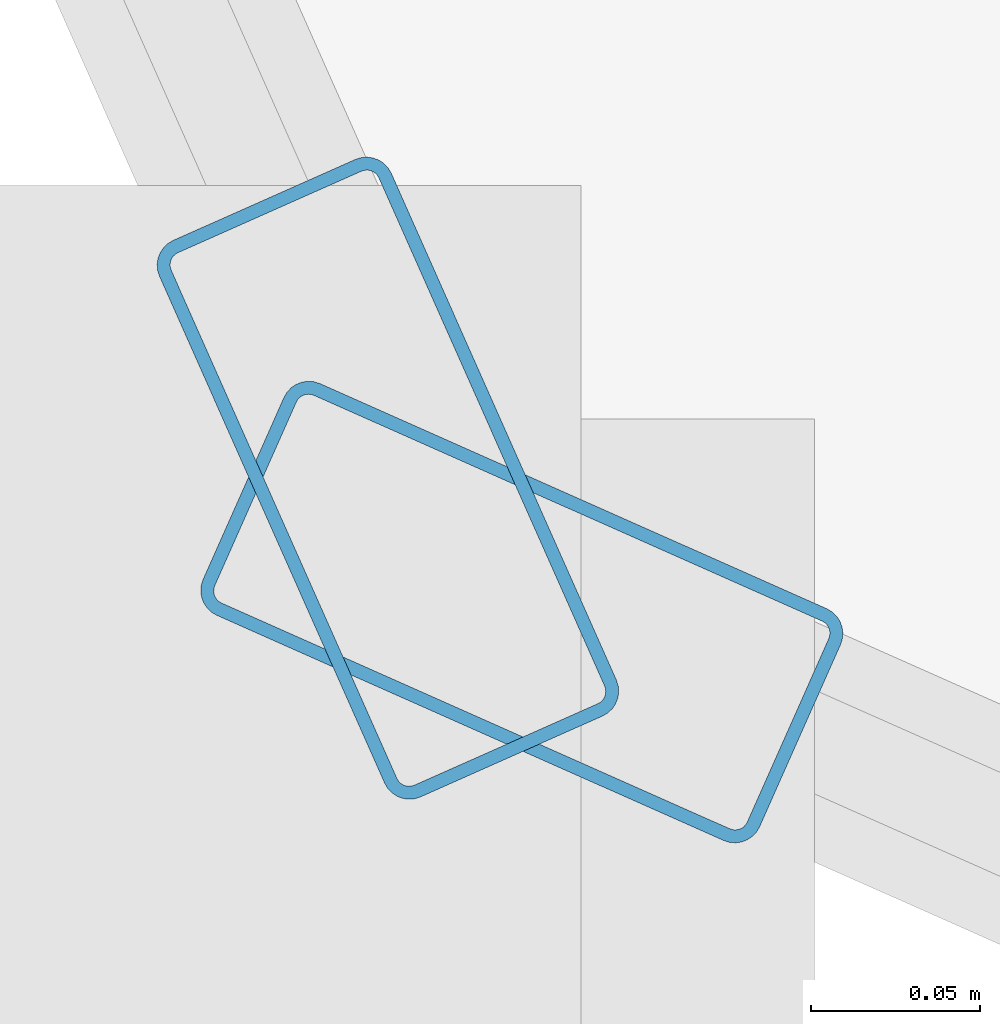
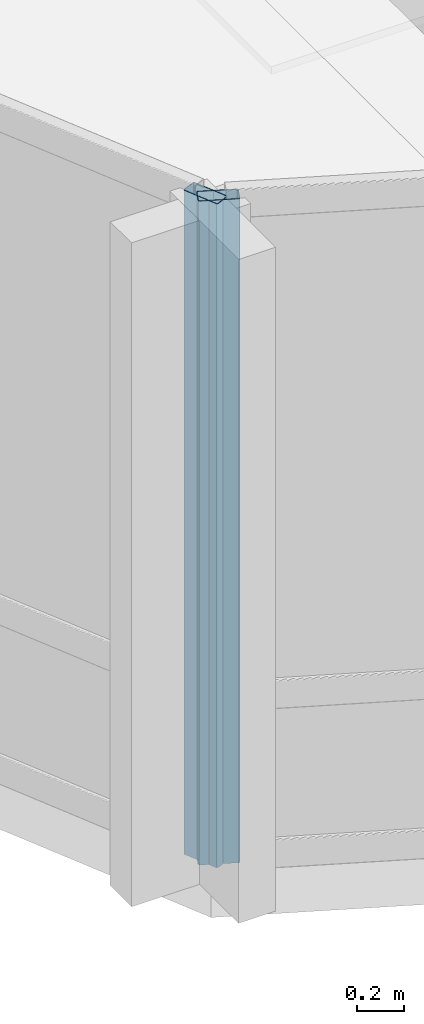
# One storey, part 2 of 28: 2 members, 2 elements without a shape of their own.
"""IFC4 building model written with IfcOpenShell, lengths in metres."""

from ifc_helpers import new_model, si_unit, direction, frame, origin, origin_2d, place, context, subcontext, project, spatial, hollow_rectangle, extrude, material, layer, layer_set, material_profile, profile_set, type_object, element, aggregate, save


model = new_model("IFC4")

# Units and contexts
model_context = context("Model", 3, precision=1e-05, world=origin(), true_north=direction((0.0, 1.0)))
body_context = subcontext(model_context, "Body", "Model", "MODEL_VIEW")
ifc_project = project(units=[si_unit("LENGTHUNIT", "METRE"), si_unit("AREAUNIT", "SQUARE_METRE"), si_unit("VOLUMEUNIT", "CUBIC_METRE"), si_unit("PLANEANGLEUNIT", "RADIAN"), si_unit("MASSUNIT", "GRAM", prefix="KILO")], contexts=[model_context])

# Site, building, storey
site_placement = place(None, origin())
site = spatial("IfcSite", under=ifc_project, at=site_placement, CompositionType="ELEMENT")
building_placement = place(site_placement, origin())
building = spatial("IfcBuilding", under=site, at=building_placement, Name="Solvaryn Broadcast Tower", CompositionType="ELEMENT")
storey_placement = place(building_placement, frame((0.0, 0.0, 154.39990234375)))
storey = spatial("IfcBuildingStorey", under=building, at=storey_placement, Name="L38", CompositionType="ELEMENT", Elevation=154.39990234375)

# Curtain wall, member
ifc_material_1 = material(Name="Aluminium and Terracotta Unitised Curtain Wall", Category="masonry")
ifc_layer = layer(ifc_material_1, 0.199951171875)
ifc_layer_set = layer_set([ifc_layer], Name="CW-SYS2-LOWMID")
curtain_wall_type = type_object("IfcCurtainWallType", Name="CW-SYS2-LOWMID", PredefinedType="NOTDEFINED", material=ifc_layer_set)
curtain_wall_1_placement = place(storey_placement, origin())
curtain_wall_1 = element("IfcCurtainWall", 1, at=curtain_wall_1_placement, inside=storey, type_object=curtain_wall_type, Name="L38 Curtain Wall DR2", PredefinedType="NOTDEFINED")
ifc_material_2 = material(Name="Anodised Aluminium 6063-T6", Category="aluminium")
ifc_material_profile = material_profile(ifc_material_2, hollow_rectangle(XDim=0.074951171875, YDim=0.179931640625, WallThickness=0.00390625, InnerFilletRadius=0.00390625, OuterFilletRadius=0.008056640625, at=origin_2d()))
ifc_profile_set = profile_set([ifc_material_profile], Name="Anodised Aluminium 6063-T6")
member_type = type_object("IfcMemberType", Name="CW-MUL-180", PredefinedType="MULLION", material=ifc_profile_set)
member_1_placement = place(storey_placement, frame((8.895751953125, 8.935302734375, 0.0), z_axis=(0.0, 0.0, 1.0), x_axis=(0.913909311008, 0.405918429309, 0.0)))
member_1 = element("IfcMember", 2, at=member_1_placement, type_object=member_type, Name="CWS2 mullion 2", PredefinedType="MULLION", context=body_context, shape_type="SweptSolid", body=[
    extrude(hollow_rectangle(XDim=0.074951171875, YDim=0.179931640625, WallThickness=0.00390625, InnerFilletRadius=0.00390625, OuterFilletRadius=0.008056640625, at=origin_2d()), origin(), (0.0, 0.0, 1.0), 3.420166015625),
])
aggregate(curtain_wall_1, [member_1])

curtain_wall_2_placement = place(storey_placement, origin())
curtain_wall_2 = element("IfcCurtainWall", 3, at=curtain_wall_2_placement, inside=storey, type_object=curtain_wall_type, Name="L38 Curtain Wall DR3", PredefinedType="NOTDEFINED")
member_2_placement = place(storey_placement, frame((8.935302734375, 8.895751953125, 0.0), z_axis=(0.0, 0.0, 1.0), x_axis=(0.405918429309, 0.913909311008, 0.0)))
member_2 = element("IfcMember", 4, at=member_2_placement, type_object=member_type, Name="CWS2 mullion 1", PredefinedType="MULLION", context=body_context, shape_type="SweptSolid", body=[
    extrude(hollow_rectangle(XDim=0.074951171875, YDim=0.179931640625, WallThickness=0.00390625, InnerFilletRadius=0.00390625, OuterFilletRadius=0.008056640625, at=origin_2d()), origin(), (0.0, 0.0, 1.0), 3.420166015625),
])
aggregate(curtain_wall_2, [member_2])

save(model, "model.ifc")
